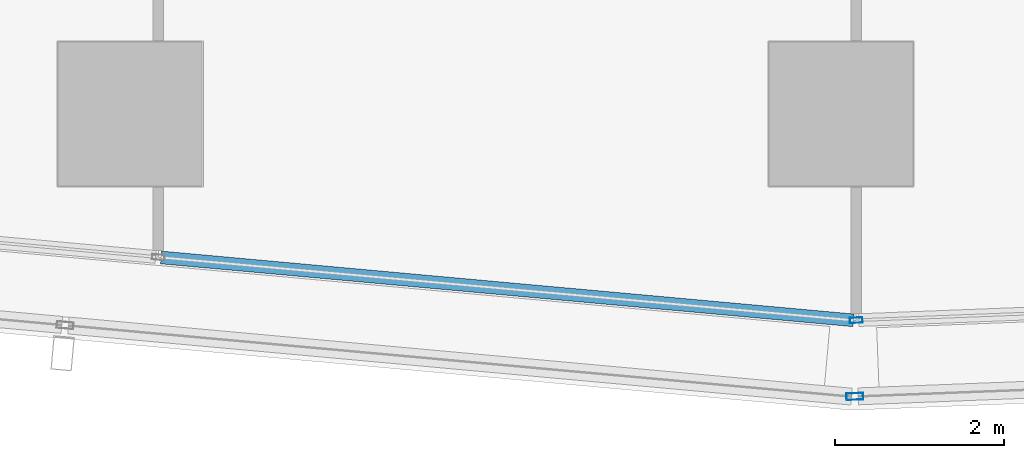
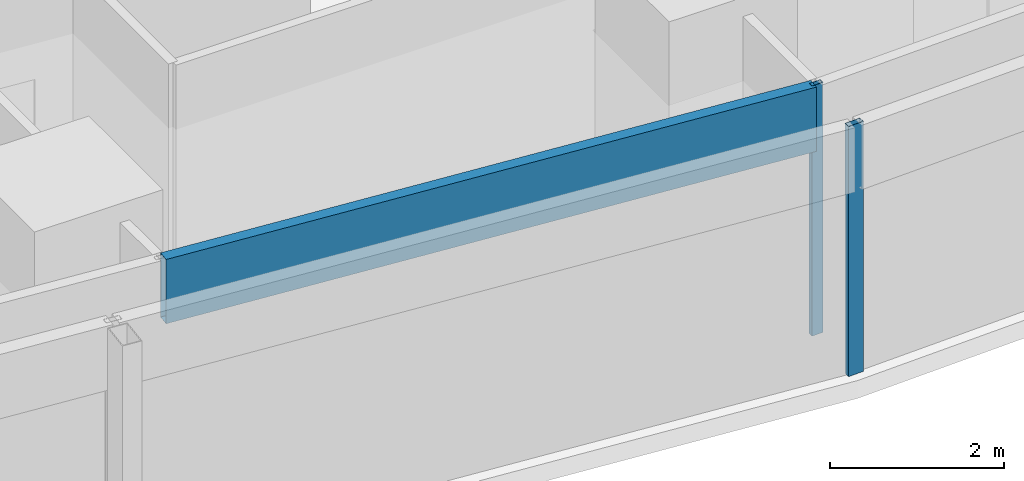
# One storey, part 5 of 40: 3 members, 3 elements without a shape of their own.
"""IFC4 building model written with IfcOpenShell, lengths in metres."""

from ifc_helpers import new_model, si_unit, direction, frame, origin, origin_2d, place, context, subcontext, project, spatial, hollow_rectangle, extrude, material, material_profile, profile_set, type_object, element, aggregate, save


model = new_model("IFC4")

# Units and contexts
model_context = context("Model", 3, precision=1e-05, world=origin(), true_north=direction((0.0, 1.0)))
body_context = subcontext(model_context, "Body", "Model", "MODEL_VIEW")
ifc_project = project(units=[si_unit("LENGTHUNIT", "METRE"), si_unit("AREAUNIT", "SQUARE_METRE"), si_unit("VOLUMEUNIT", "CUBIC_METRE"), si_unit("PLANEANGLEUNIT", "RADIAN"), si_unit("MASSUNIT", "GRAM", prefix="KILO")], contexts=[model_context])

# Site, building, storey
site_placement = place(None, origin())
site = spatial("IfcSite", under=ifc_project, at=site_placement, CompositionType="ELEMENT")
building_placement = place(site_placement, origin())
building = spatial("IfcBuilding", under=site, at=building_placement, Name="Rekha Terrace Tower", CompositionType="ELEMENT")
storey_placement = place(building_placement, frame((0.0, 0.0, 140.300048828125)))
storey = spatial("IfcBuildingStorey", under=building, at=storey_placement, Name="L35", CompositionType="ELEMENT", Elevation=140.300048828125)

# Curtain wall, member
ifc_material_1 = material(Name="Aluminium framing", Category="aluminium")
curtain_wall_type_1 = type_object("IfcCurtainWallType", Name="CW1 double skin inner glazing", PredefinedType="USERDEFINED", material=ifc_material_1)
curtain_wall_1_placement = place(storey_placement, origin())
curtain_wall_1 = element("IfcCurtainWall", 1, at=curtain_wall_1_placement, inside=storey, type_object=curtain_wall_type_1, Name="CW1 double skin inner glazing", ObjectType="DOUBLE SKIN INNER GLAZING", PredefinedType="USERDEFINED")
ifc_material_2 = material(Name="Aluminium mullion section", Category="aluminium")
ifc_material_profile_1 = material_profile(ifc_material_2, hollow_rectangle(XDim=0.06494140625, YDim=0.14990234375, WallThickness=0.00390625, at=origin_2d()), Name="AL RHS 65x150")
ifc_profile_set_1 = profile_set([ifc_material_profile_1], Name="Aluminium mullion section")
member_type_1 = type_object("IfcMemberType", Name="CW1 mullion RHS 65 x 150", PredefinedType="MULLION", material=ifc_profile_set_1)
member_1_placement = place(storey_placement, frame((25.3798828125, 14.363037109375, 0.0), z_axis=(0.0, 0.0, 1.0), x_axis=(-0.038889971345, 0.999243498917, 0.0)))
member_1 = element("IfcMember", 2, at=member_1_placement, type_object=member_type_1, Name="CW1 mullion 1", PredefinedType="MULLION", context=body_context, shape_type="SweptSolid", body=[
    extrude(hollow_rectangle(XDim=0.06494140625, YDim=0.14990234375, WallThickness=0.00390625, at=origin_2d()), origin(), (0.0, 0.0, 1.0), 3.5),
])
aggregate(curtain_wall_1, [member_1])

curtain_wall_2_placement = place(storey_placement, origin())
curtain_wall_2 = element("IfcCurtainWall", 3, at=curtain_wall_2_placement, inside=storey, type_object=curtain_wall_type_1, Name="CW1 double skin inner glazing", ObjectType="DOUBLE SKIN INNER GLAZING", PredefinedType="USERDEFINED")
ifc_material_3 = material(Name="Insulated aluminium spandrel box", Category="aluminium")
ifc_material_profile_2 = material_profile(ifc_material_3, hollow_rectangle(XDim=0.14990234375, YDim=0.89990234375, WallThickness=0.0029296875, at=origin_2d()), Name="AL SPANDREL BOX 150x900")
ifc_profile_set_2 = profile_set([ifc_material_profile_2], Name="Insulated aluminium spandrel box")
member_type_2 = type_object("IfcMemberType", Name="CW1 spandrel transom 150 x 900", PredefinedType="USERDEFINED", material=ifc_profile_set_2)
member_2_placement = place(storey_placement, frame((17.16650390625, 15.104736328125, 3.050048828125), z_axis=(0.995901971759, -0.090439276017, 0.0), x_axis=(0.090439276017, 0.995901971759, 0.0)))
member_2 = element("IfcMember", 4, at=member_2_placement, type_object=member_type_2, Name="CW1 spandrel transom 2", ObjectType="TRANSOM", PredefinedType="USERDEFINED", context=body_context, shape_type="SweptSolid", body=[
    extrude(hollow_rectangle(XDim=0.14990234375, YDim=0.89990234375, WallThickness=0.0029296875, at=origin_2d()), origin(), (0.0, 0.0, 1.0), 8.214599609375),
])
aggregate(curtain_wall_2, [member_2])

curtain_wall_type_2 = type_object("IfcCurtainWallType", Name="CW2 double skin outer glazing", PredefinedType="USERDEFINED", material=ifc_material_1)
curtain_wall_3_placement = place(storey_placement, origin())
curtain_wall_3 = element("IfcCurtainWall", 5, at=curtain_wall_3_placement, inside=storey, type_object=curtain_wall_type_2, Name="CW2 double skin outer glazing", ObjectType="DOUBLE SKIN OUTER GLAZING", PredefinedType="USERDEFINED")
ifc_material_profile_3 = material_profile(ifc_material_2, hollow_rectangle(XDim=0.080078125, YDim=0.199951171875, WallThickness=0.00390625, at=origin_2d()), Name="AL RHS 80x200")
ifc_profile_set_3 = profile_set([ifc_material_profile_3], Name="Aluminium mullion section")
member_type_3 = type_object("IfcMemberType", Name="CW2 mullion RHS 80 x 200", PredefinedType="MULLION", material=ifc_profile_set_3)
member_3_placement = place(storey_placement, frame((25.364013671875, 13.4619140625, 0.0), z_axis=(0.0, 0.0, 1.0), x_axis=(-0.038889971345, 0.999243498917, 0.0)))
member_3 = element("IfcMember", 6, at=member_3_placement, type_object=member_type_3, Name="CW2 mullion 1", PredefinedType="MULLION", context=body_context, shape_type="SweptSolid", body=[
    extrude(hollow_rectangle(XDim=0.080078125, YDim=0.199951171875, WallThickness=0.00390625, at=origin_2d()), origin(), (0.0, 0.0, 1.0), 3.5),
])
aggregate(curtain_wall_3, [member_3])

save(model, "model.ifc")
